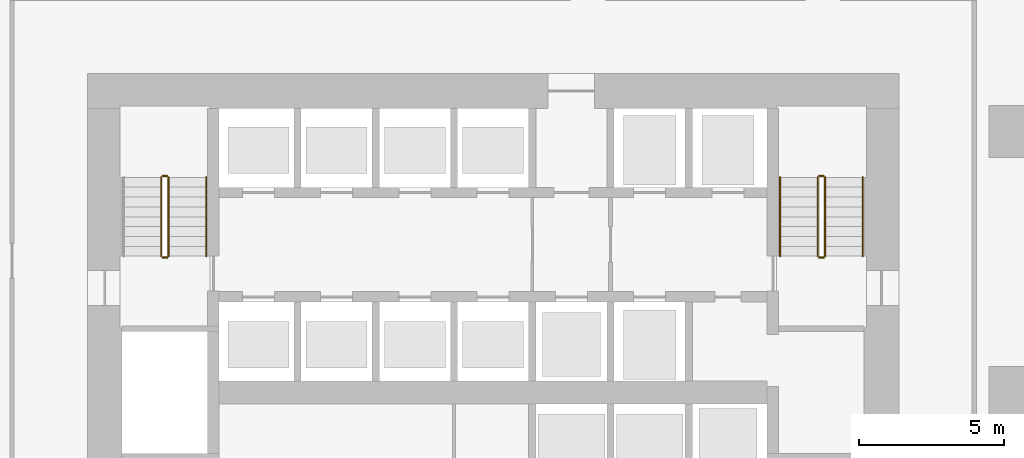
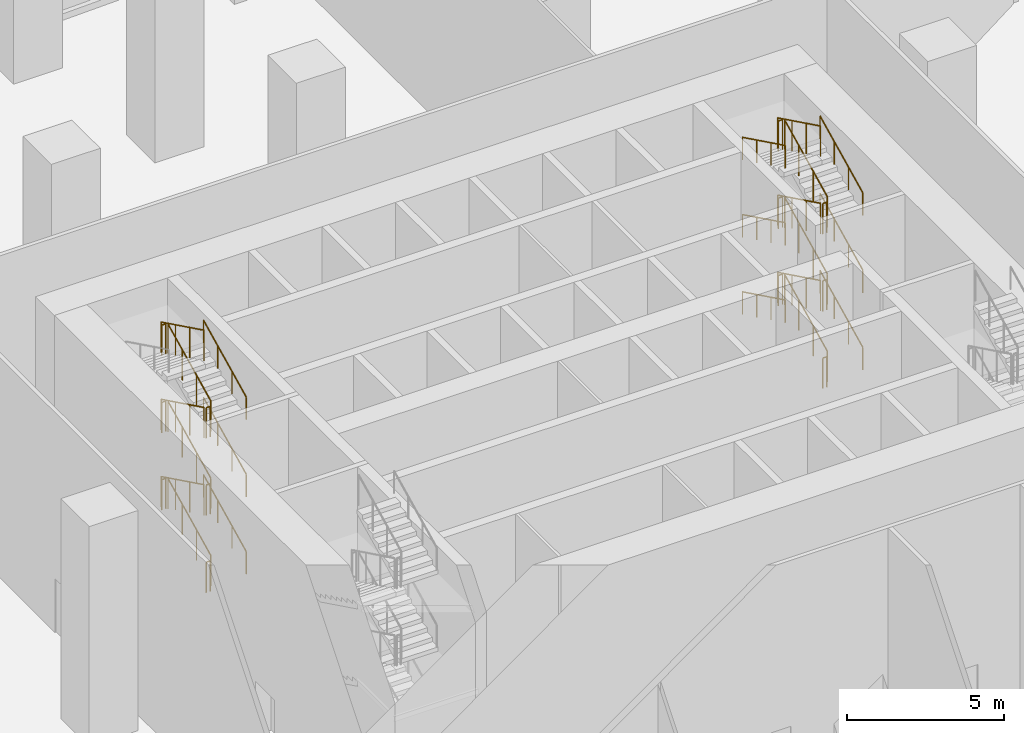
# One storey, part 39 of 40: 33 railings.
"""IFC4 building model written with IfcOpenShell, lengths in metres."""

from ifc_helpers import new_model, si_unit, direction, frame, origin, origin_2d, place, context, subcontext, project, spatial, circle, extrude, material, type_object, element, save


model = new_model("IFC4")

# Units and contexts
model_context = context("Model", 3, precision=1e-05, world=origin(), true_north=direction((0.0, 1.0)))
body_context = subcontext(model_context, "Body", "Model", "MODEL_VIEW")
ifc_project = project(units=[si_unit("LENGTHUNIT", "METRE"), si_unit("AREAUNIT", "SQUARE_METRE"), si_unit("VOLUMEUNIT", "CUBIC_METRE"), si_unit("PLANEANGLEUNIT", "RADIAN"), si_unit("MASSUNIT", "GRAM", prefix="KILO")], contexts=[model_context])

# Site, building, storey
site_placement = place(None, origin())
site = spatial("IfcSite", under=ifc_project, at=site_placement, CompositionType="ELEMENT")
building_placement = place(site_placement, origin())
building = spatial("IfcBuilding", under=site, at=building_placement, Name="Dongbaek Canopy Tower", CompositionType="ELEMENT")
storey_placement = place(building_placement, origin())
storey = spatial("IfcBuildingStorey", under=building, at=storey_placement, Name="L00", CompositionType="ELEMENT", Elevation=0.0)

# Railings
ifc_material_1 = material(Name="Stainless steel tube and balusters", Category="steel")
railing_type_1 = type_object("IfcRailingType", Name="Stair guard 1200", PredefinedType="GUARDRAIL", material=ifc_material_1)
railing_1_placement = place(storey_placement, frame((11.449951171875, 4.699951171875, 0.166748046875)))
element("IfcRailing", 1, at=railing_1_placement, inside=storey, type_object=railing_type_1, Name="L00 ST-A stair guard 1", PredefinedType="GUARDRAIL", context=body_context, shape_type="SweptSolid", body=[
    extrude(circle(Radius=0.02392578125, at=origin_2d()), frame((0.0, 0.0, 1.17578125), z_axis=(0.0, 0.897929466783, 0.4401393787), x_axis=(-1.0, 0.0, 0.0)), (0.0, 0.0, 1.0), 3.029052734375),
    extrude(circle(Radius=0.02099609375, at=origin_2d()), origin(), (0.0, 0.0, 1.0), 1.15185546875),
    extrude(circle(Radius=0.02099609375, at=origin_2d()), frame((0.0, 0.90673828125, 0.4443359375)), (0.0, 0.0, 1.0), 1.15185546875),
    extrude(circle(Radius=0.02099609375, at=origin_2d()), frame((0.0, 1.813232421875, 0.888916015625)), (0.0, 0.0, 1.0), 1.15185546875),
    extrude(circle(Radius=0.02099609375, at=origin_2d()), frame((0.0, 2.719970703125, 1.333251953125)), (0.0, 0.0, 1.0), 1.15185546875),
])
railing_2_placement = place(storey_placement, frame((11.39990234375, 7.469970703125, 1.5)))
element("IfcRailing", 2, at=railing_2_placement, inside=storey, type_object=railing_type_1, Name="L00 ST-A stair guard 2", PredefinedType="GUARDRAIL", context=body_context, shape_type="SweptSolid", body=[
    extrude(circle(Radius=0.02392578125, at=origin_2d()), frame((0.0, 0.0, 1.17578125), z_axis=(-1.0, 0.0, 0.0), x_axis=(0.0, -1.0, 0.0)), (0.0, 0.0, 1.0), 0.14990234375),
    extrude(circle(Radius=0.02099609375, at=origin_2d()), origin(), (0.0, 0.0, 1.0), 1.15185546875),
    extrude(circle(Radius=0.02099609375, at=origin_2d()), frame((-0.14990234375, 0.0, 0.0)), (0.0, 0.0, 1.0), 1.15185546875),
])
railing_3_placement = place(storey_placement, frame((11.199951171875, 7.419921875, 1.666748046875)))
element("IfcRailing", 3, at=railing_3_placement, inside=storey, type_object=railing_type_1, Name="L00 ST-A stair guard 3", PredefinedType="GUARDRAIL", context=body_context, shape_type="SweptSolid", body=[
    extrude(circle(Radius=0.02392578125, at=origin_2d()), frame((0.0, 0.0, 1.17578125), z_axis=(0.0, -0.897929466783, 0.4401393787), x_axis=(1.0, 0.0, 0.0)), (0.0, 0.0, 1.0), 3.029052734375),
    extrude(circle(Radius=0.02099609375, at=origin_2d()), origin(), (0.0, 0.0, 1.0), 1.15185546875),
    extrude(circle(Radius=0.02099609375, at=origin_2d()), frame((0.0, -0.90673828125, 0.4443359375)), (0.0, 0.0, 1.0), 1.15185546875),
    extrude(circle(Radius=0.02099609375, at=origin_2d()), frame((0.0, -1.813232421875, 0.888916015625)), (0.0, 0.0, 1.0), 1.15185546875),
    extrude(circle(Radius=0.02099609375, at=origin_2d()), frame((0.0, -2.719970703125, 1.333251953125)), (0.0, 0.0, 1.0), 1.15185546875),
])
railing_4_placement = place(storey_placement, frame((11.39990234375, 4.64990234375, 3.0)))
element("IfcRailing", 4, at=railing_4_placement, inside=storey, type_object=railing_type_1, Name="L00 ST-A stair guard 4", PredefinedType="GUARDRAIL", context=body_context, shape_type="SweptSolid", body=[
    extrude(circle(Radius=0.02392578125, at=origin_2d()), frame((0.0, 0.0, 1.17578125), z_axis=(-1.0, 0.0, 0.0), x_axis=(0.0, -1.0, 0.0)), (0.0, 0.0, 1.0), 0.14990234375),
    extrude(circle(Radius=0.02099609375, at=origin_2d()), origin(), (0.0, 0.0, 1.0), 1.15185546875),
    extrude(circle(Radius=0.02099609375, at=origin_2d()), frame((-0.14990234375, 0.0, 0.0)), (0.0, 0.0, 1.0), 1.15185546875),
])
railing_5_placement = place(storey_placement, frame((11.449951171875, 4.699951171875, 3.166748046875)))
element("IfcRailing", 5, at=railing_5_placement, inside=storey, type_object=railing_type_1, Name="L00 ST-A stair guard 5", PredefinedType="GUARDRAIL", context=body_context, shape_type="SweptSolid", body=[
    extrude(circle(Radius=0.02392578125, at=origin_2d()), frame((0.0, 0.0, 1.17578125), z_axis=(0.0, 0.897929466783, 0.4401393787), x_axis=(-1.0, 0.0, 0.0)), (0.0, 0.0, 1.0), 3.029052734375),
    extrude(circle(Radius=0.02099609375, at=origin_2d()), origin(), (0.0, 0.0, 1.0), 1.15185546875),
    extrude(circle(Radius=0.02099609375, at=origin_2d()), frame((0.0, 0.90673828125, 0.4443359375)), (0.0, 0.0, 1.0), 1.15185546875),
    extrude(circle(Radius=0.02099609375, at=origin_2d()), frame((0.0, 1.813232421875, 0.888916015625)), (0.0, 0.0, 1.0), 1.15185546875),
    extrude(circle(Radius=0.02099609375, at=origin_2d()), frame((0.0, 2.719970703125, 1.333251953125)), (0.0, 0.0, 1.0), 1.15185546875),
])
railing_6_placement = place(storey_placement, frame((11.39990234375, 7.469970703125, 4.5)))
element("IfcRailing", 6, at=railing_6_placement, inside=storey, type_object=railing_type_1, Name="L00 ST-A stair guard 6", PredefinedType="GUARDRAIL", context=body_context, shape_type="SweptSolid", body=[
    extrude(circle(Radius=0.02392578125, at=origin_2d()), frame((0.0, 0.0, 1.17578125), z_axis=(-1.0, 0.0, 0.0), x_axis=(0.0, -1.0, 0.0)), (0.0, 0.0, 1.0), 0.14990234375),
    extrude(circle(Radius=0.02099609375, at=origin_2d()), origin(), (0.0, 0.0, 1.0), 1.15185546875),
    extrude(circle(Radius=0.02099609375, at=origin_2d()), frame((-0.14990234375, 0.0, 0.0)), (0.0, 0.0, 1.0), 1.15185546875),
])
railing_7_placement = place(storey_placement, frame((11.199951171875, 7.419921875, 4.666748046875)))
element("IfcRailing", 7, at=railing_7_placement, inside=storey, type_object=railing_type_1, Name="L00 ST-A stair guard 7", PredefinedType="GUARDRAIL", context=body_context, shape_type="SweptSolid", body=[
    extrude(circle(Radius=0.02392578125, at=origin_2d()), frame((0.0, 0.0, 1.17578125), z_axis=(0.0, -0.897929466783, 0.4401393787), x_axis=(1.0, 0.0, 0.0)), (0.0, 0.0, 1.0), 3.029052734375),
    extrude(circle(Radius=0.02099609375, at=origin_2d()), origin(), (0.0, 0.0, 1.0), 1.15185546875),
    extrude(circle(Radius=0.02099609375, at=origin_2d()), frame((0.0, -0.90673828125, 0.4443359375)), (0.0, 0.0, 1.0), 1.15185546875),
    extrude(circle(Radius=0.02099609375, at=origin_2d()), frame((0.0, -1.813232421875, 0.888916015625)), (0.0, 0.0, 1.0), 1.15185546875),
    extrude(circle(Radius=0.02099609375, at=origin_2d()), frame((0.0, -2.719970703125, 1.333251953125)), (0.0, 0.0, 1.0), 1.15185546875),
])
railing_8_placement = place(storey_placement, frame((11.39990234375, 4.64990234375, 6.0)))
element("IfcRailing", 8, at=railing_8_placement, inside=storey, type_object=railing_type_1, Name="L00 ST-A stair guard 8", PredefinedType="GUARDRAIL", context=body_context, shape_type="SweptSolid", body=[
    extrude(circle(Radius=0.02392578125, at=origin_2d()), frame((0.0, 0.0, 1.17578125), z_axis=(-1.0, 0.0, 0.0), x_axis=(0.0, -1.0, 0.0)), (0.0, 0.0, 1.0), 0.14990234375),
    extrude(circle(Radius=0.02099609375, at=origin_2d()), origin(), (0.0, 0.0, 1.0), 1.15185546875),
    extrude(circle(Radius=0.02099609375, at=origin_2d()), frame((-0.14990234375, 0.0, 0.0)), (0.0, 0.0, 1.0), 1.15185546875),
])
railing_9_placement = place(storey_placement, frame((11.449951171875, 4.699951171875, 6.166748046875)))
element("IfcRailing", 9, at=railing_9_placement, inside=storey, type_object=railing_type_1, Name="L00 ST-A stair guard 9", PredefinedType="GUARDRAIL", context=body_context, shape_type="SweptSolid", body=[
    extrude(circle(Radius=0.02392578125, at=origin_2d()), frame((0.0, 0.0, 1.17578125), z_axis=(0.0, 0.897929466783, 0.4401393787), x_axis=(-1.0, 0.0, 0.0)), (0.0, 0.0, 1.0), 3.029052734375),
    extrude(circle(Radius=0.02099609375, at=origin_2d()), origin(), (0.0, 0.0, 1.0), 1.15185546875),
    extrude(circle(Radius=0.02099609375, at=origin_2d()), frame((0.0, 0.90673828125, 0.4443359375)), (0.0, 0.0, 1.0), 1.15185546875),
    extrude(circle(Radius=0.02099609375, at=origin_2d()), frame((0.0, 1.813232421875, 0.888916015625)), (0.0, 0.0, 1.0), 1.15185546875),
    extrude(circle(Radius=0.02099609375, at=origin_2d()), frame((0.0, 2.719970703125, 1.333251953125)), (0.0, 0.0, 1.0), 1.15185546875),
])
railing_10_placement = place(storey_placement, frame((11.39990234375, 7.469970703125, 7.5)))
element("IfcRailing", 10, at=railing_10_placement, inside=storey, type_object=railing_type_1, Name="L00 ST-A stair guard 10", PredefinedType="GUARDRAIL", context=body_context, shape_type="SweptSolid", body=[
    extrude(circle(Radius=0.02392578125, at=origin_2d()), frame((0.0, 0.0, 1.17578125), z_axis=(-1.0, 0.0, 0.0), x_axis=(0.0, -1.0, 0.0)), (0.0, 0.0, 1.0), 0.14990234375),
    extrude(circle(Radius=0.02099609375, at=origin_2d()), origin(), (0.0, 0.0, 1.0), 1.15185546875),
    extrude(circle(Radius=0.02099609375, at=origin_2d()), frame((-0.14990234375, 0.0, 0.0)), (0.0, 0.0, 1.0), 1.15185546875),
])
railing_11_placement = place(storey_placement, frame((11.199951171875, 7.419921875, 7.666748046875)))
element("IfcRailing", 11, at=railing_11_placement, inside=storey, type_object=railing_type_1, Name="L00 ST-A stair guard 11", PredefinedType="GUARDRAIL", context=body_context, shape_type="SweptSolid", body=[
    extrude(circle(Radius=0.02392578125, at=origin_2d()), frame((0.0, 0.0, 1.17578125), z_axis=(0.0, -0.897929466783, 0.4401393787), x_axis=(1.0, 0.0, 0.0)), (0.0, 0.0, 1.0), 3.029052734375),
    extrude(circle(Radius=0.02099609375, at=origin_2d()), origin(), (0.0, 0.0, 1.0), 1.15185546875),
    extrude(circle(Radius=0.02099609375, at=origin_2d()), frame((0.0, -0.90673828125, 0.4443359375)), (0.0, 0.0, 1.0), 1.15185546875),
    extrude(circle(Radius=0.02099609375, at=origin_2d()), frame((0.0, -1.813232421875, 0.888916015625)), (0.0, 0.0, 1.0), 1.15185546875),
    extrude(circle(Radius=0.02099609375, at=origin_2d()), frame((0.0, -2.719970703125, 1.333251953125)), (0.0, 0.0, 1.0), 1.15185546875),
])
railing_12_placement = place(storey_placement, frame((11.39990234375, 4.64990234375, 0.0)))
element("IfcRailing", 12, at=railing_12_placement, inside=storey, type_object=railing_type_1, Name="L00 ST-A stair guard 12", PredefinedType="GUARDRAIL", context=body_context, shape_type="SweptSolid", body=[
    extrude(circle(Radius=0.02392578125, at=origin_2d()), frame((0.0, 0.0, 1.17578125), z_axis=(-1.0, 0.0, 0.0), x_axis=(0.0, -1.0, 0.0)), (0.0, 0.0, 1.0), 0.14990234375),
    extrude(circle(Radius=0.02099609375, at=origin_2d()), origin(), (0.0, 0.0, 1.0), 1.15185546875),
    extrude(circle(Radius=0.02099609375, at=origin_2d()), frame((-0.14990234375, 0.0, 0.0)), (0.0, 0.0, 1.0), 1.15185546875),
])
railing_13_placement = place(storey_placement, frame((-11.199951171875, 4.699951171875, 0.166748046875)))
element("IfcRailing", 13, at=railing_13_placement, inside=storey, type_object=railing_type_1, Name="L00 ST-C stair guard 1", PredefinedType="GUARDRAIL", context=body_context, shape_type="SweptSolid", body=[
    extrude(circle(Radius=0.02392578125, at=origin_2d()), frame((0.0, 0.0, 1.17578125), z_axis=(0.0, 0.897929466783, 0.4401393787), x_axis=(-1.0, 0.0, 0.0)), (0.0, 0.0, 1.0), 3.029052734375),
    extrude(circle(Radius=0.02099609375, at=origin_2d()), origin(), (0.0, 0.0, 1.0), 1.15185546875),
    extrude(circle(Radius=0.02099609375, at=origin_2d()), frame((0.0, 0.90673828125, 0.4443359375)), (0.0, 0.0, 1.0), 1.15185546875),
    extrude(circle(Radius=0.02099609375, at=origin_2d()), frame((0.0, 1.813232421875, 0.888916015625)), (0.0, 0.0, 1.0), 1.15185546875),
    extrude(circle(Radius=0.02099609375, at=origin_2d()), frame((0.0, 2.719970703125, 1.333251953125)), (0.0, 0.0, 1.0), 1.15185546875),
])
railing_14_placement = place(storey_placement, frame((-11.25, 7.469970703125, 1.5)))
element("IfcRailing", 14, at=railing_14_placement, inside=storey, type_object=railing_type_1, Name="L00 ST-C stair guard 2", PredefinedType="GUARDRAIL", context=body_context, shape_type="SweptSolid", body=[
    extrude(circle(Radius=0.02392578125, at=origin_2d()), frame((0.0, 0.0, 1.17578125), z_axis=(-1.0, 0.0, 0.0), x_axis=(0.0, -1.0, 0.0)), (0.0, 0.0, 1.0), 0.14990234375),
    extrude(circle(Radius=0.02099609375, at=origin_2d()), origin(), (0.0, 0.0, 1.0), 1.15185546875),
    extrude(circle(Radius=0.02099609375, at=origin_2d()), frame((-0.14990234375, 0.0, 0.0)), (0.0, 0.0, 1.0), 1.15185546875),
])
railing_15_placement = place(storey_placement, frame((-11.449951171875, 7.419921875, 1.666748046875)))
element("IfcRailing", 15, at=railing_15_placement, inside=storey, type_object=railing_type_1, Name="L00 ST-C stair guard 3", PredefinedType="GUARDRAIL", context=body_context, shape_type="SweptSolid", body=[
    extrude(circle(Radius=0.02392578125, at=origin_2d()), frame((0.0, 0.0, 1.17578125), z_axis=(0.0, -0.897929466783, 0.4401393787), x_axis=(1.0, 0.0, 0.0)), (0.0, 0.0, 1.0), 3.029052734375),
    extrude(circle(Radius=0.02099609375, at=origin_2d()), origin(), (0.0, 0.0, 1.0), 1.15185546875),
    extrude(circle(Radius=0.02099609375, at=origin_2d()), frame((0.0, -0.90673828125, 0.4443359375)), (0.0, 0.0, 1.0), 1.15185546875),
    extrude(circle(Radius=0.02099609375, at=origin_2d()), frame((0.0, -1.813232421875, 0.888916015625)), (0.0, 0.0, 1.0), 1.15185546875),
    extrude(circle(Radius=0.02099609375, at=origin_2d()), frame((0.0, -2.719970703125, 1.333251953125)), (0.0, 0.0, 1.0), 1.15185546875),
])
railing_16_placement = place(storey_placement, frame((-11.25, 4.64990234375, 3.0)))
element("IfcRailing", 16, at=railing_16_placement, inside=storey, type_object=railing_type_1, Name="L00 ST-C stair guard 4", PredefinedType="GUARDRAIL", context=body_context, shape_type="SweptSolid", body=[
    extrude(circle(Radius=0.02392578125, at=origin_2d()), frame((0.0, 0.0, 1.17578125), z_axis=(-1.0, 0.0, 0.0), x_axis=(0.0, -1.0, 0.0)), (0.0, 0.0, 1.0), 0.14990234375),
    extrude(circle(Radius=0.02099609375, at=origin_2d()), origin(), (0.0, 0.0, 1.0), 1.15185546875),
    extrude(circle(Radius=0.02099609375, at=origin_2d()), frame((-0.14990234375, 0.0, 0.0)), (0.0, 0.0, 1.0), 1.15185546875),
])
railing_17_placement = place(storey_placement, frame((-11.199951171875, 4.699951171875, 3.166748046875)))
element("IfcRailing", 17, at=railing_17_placement, inside=storey, type_object=railing_type_1, Name="L00 ST-C stair guard 5", PredefinedType="GUARDRAIL", context=body_context, shape_type="SweptSolid", body=[
    extrude(circle(Radius=0.02392578125, at=origin_2d()), frame((0.0, 0.0, 1.17578125), z_axis=(0.0, 0.897929466783, 0.4401393787), x_axis=(-1.0, 0.0, 0.0)), (0.0, 0.0, 1.0), 3.029052734375),
    extrude(circle(Radius=0.02099609375, at=origin_2d()), origin(), (0.0, 0.0, 1.0), 1.15185546875),
    extrude(circle(Radius=0.02099609375, at=origin_2d()), frame((0.0, 0.90673828125, 0.4443359375)), (0.0, 0.0, 1.0), 1.15185546875),
    extrude(circle(Radius=0.02099609375, at=origin_2d()), frame((0.0, 1.813232421875, 0.888916015625)), (0.0, 0.0, 1.0), 1.15185546875),
    extrude(circle(Radius=0.02099609375, at=origin_2d()), frame((0.0, 2.719970703125, 1.333251953125)), (0.0, 0.0, 1.0), 1.15185546875),
])
railing_18_placement = place(storey_placement, frame((-11.25, 7.469970703125, 4.5)))
element("IfcRailing", 18, at=railing_18_placement, inside=storey, type_object=railing_type_1, Name="L00 ST-C stair guard 6", PredefinedType="GUARDRAIL", context=body_context, shape_type="SweptSolid", body=[
    extrude(circle(Radius=0.02392578125, at=origin_2d()), frame((0.0, 0.0, 1.17578125), z_axis=(-1.0, 0.0, 0.0), x_axis=(0.0, -1.0, 0.0)), (0.0, 0.0, 1.0), 0.14990234375),
    extrude(circle(Radius=0.02099609375, at=origin_2d()), origin(), (0.0, 0.0, 1.0), 1.15185546875),
    extrude(circle(Radius=0.02099609375, at=origin_2d()), frame((-0.14990234375, 0.0, 0.0)), (0.0, 0.0, 1.0), 1.15185546875),
])
railing_19_placement = place(storey_placement, frame((-11.449951171875, 7.419921875, 4.666748046875)))
element("IfcRailing", 19, at=railing_19_placement, inside=storey, type_object=railing_type_1, Name="L00 ST-C stair guard 7", PredefinedType="GUARDRAIL", context=body_context, shape_type="SweptSolid", body=[
    extrude(circle(Radius=0.02392578125, at=origin_2d()), frame((0.0, 0.0, 1.17578125), z_axis=(0.0, -0.897929466783, 0.4401393787), x_axis=(1.0, 0.0, 0.0)), (0.0, 0.0, 1.0), 3.029052734375),
    extrude(circle(Radius=0.02099609375, at=origin_2d()), origin(), (0.0, 0.0, 1.0), 1.15185546875),
    extrude(circle(Radius=0.02099609375, at=origin_2d()), frame((0.0, -0.90673828125, 0.4443359375)), (0.0, 0.0, 1.0), 1.15185546875),
    extrude(circle(Radius=0.02099609375, at=origin_2d()), frame((0.0, -1.813232421875, 0.888916015625)), (0.0, 0.0, 1.0), 1.15185546875),
    extrude(circle(Radius=0.02099609375, at=origin_2d()), frame((0.0, -2.719970703125, 1.333251953125)), (0.0, 0.0, 1.0), 1.15185546875),
])
railing_20_placement = place(storey_placement, frame((-11.25, 4.64990234375, 6.0)))
element("IfcRailing", 20, at=railing_20_placement, inside=storey, type_object=railing_type_1, Name="L00 ST-C stair guard 8", PredefinedType="GUARDRAIL", context=body_context, shape_type="SweptSolid", body=[
    extrude(circle(Radius=0.02392578125, at=origin_2d()), frame((0.0, 0.0, 1.17578125), z_axis=(-1.0, 0.0, 0.0), x_axis=(0.0, -1.0, 0.0)), (0.0, 0.0, 1.0), 0.14990234375),
    extrude(circle(Radius=0.02099609375, at=origin_2d()), origin(), (0.0, 0.0, 1.0), 1.15185546875),
    extrude(circle(Radius=0.02099609375, at=origin_2d()), frame((-0.14990234375, 0.0, 0.0)), (0.0, 0.0, 1.0), 1.15185546875),
])
railing_21_placement = place(storey_placement, frame((-11.199951171875, 4.699951171875, 6.166748046875)))
element("IfcRailing", 21, at=railing_21_placement, inside=storey, type_object=railing_type_1, Name="L00 ST-C stair guard 9", PredefinedType="GUARDRAIL", context=body_context, shape_type="SweptSolid", body=[
    extrude(circle(Radius=0.02392578125, at=origin_2d()), frame((0.0, 0.0, 1.17578125), z_axis=(0.0, 0.897929466783, 0.4401393787), x_axis=(-1.0, 0.0, 0.0)), (0.0, 0.0, 1.0), 3.029052734375),
    extrude(circle(Radius=0.02099609375, at=origin_2d()), origin(), (0.0, 0.0, 1.0), 1.15185546875),
    extrude(circle(Radius=0.02099609375, at=origin_2d()), frame((0.0, 0.90673828125, 0.4443359375)), (0.0, 0.0, 1.0), 1.15185546875),
    extrude(circle(Radius=0.02099609375, at=origin_2d()), frame((0.0, 1.813232421875, 0.888916015625)), (0.0, 0.0, 1.0), 1.15185546875),
    extrude(circle(Radius=0.02099609375, at=origin_2d()), frame((0.0, 2.719970703125, 1.333251953125)), (0.0, 0.0, 1.0), 1.15185546875),
])
railing_22_placement = place(storey_placement, frame((-11.25, 7.469970703125, 7.5)))
element("IfcRailing", 22, at=railing_22_placement, inside=storey, type_object=railing_type_1, Name="L00 ST-C stair guard 10", PredefinedType="GUARDRAIL", context=body_context, shape_type="SweptSolid", body=[
    extrude(circle(Radius=0.02392578125, at=origin_2d()), frame((0.0, 0.0, 1.17578125), z_axis=(-1.0, 0.0, 0.0), x_axis=(0.0, -1.0, 0.0)), (0.0, 0.0, 1.0), 0.14990234375),
    extrude(circle(Radius=0.02099609375, at=origin_2d()), origin(), (0.0, 0.0, 1.0), 1.15185546875),
    extrude(circle(Radius=0.02099609375, at=origin_2d()), frame((-0.14990234375, 0.0, 0.0)), (0.0, 0.0, 1.0), 1.15185546875),
])
railing_23_placement = place(storey_placement, frame((-11.449951171875, 7.419921875, 7.666748046875)))
element("IfcRailing", 23, at=railing_23_placement, inside=storey, type_object=railing_type_1, Name="L00 ST-C stair guard 11", PredefinedType="GUARDRAIL", context=body_context, shape_type="SweptSolid", body=[
    extrude(circle(Radius=0.02392578125, at=origin_2d()), frame((0.0, 0.0, 1.17578125), z_axis=(0.0, -0.897929466783, 0.4401393787), x_axis=(1.0, 0.0, 0.0)), (0.0, 0.0, 1.0), 3.029052734375),
    extrude(circle(Radius=0.02099609375, at=origin_2d()), origin(), (0.0, 0.0, 1.0), 1.15185546875),
    extrude(circle(Radius=0.02099609375, at=origin_2d()), frame((0.0, -0.90673828125, 0.4443359375)), (0.0, 0.0, 1.0), 1.15185546875),
    extrude(circle(Radius=0.02099609375, at=origin_2d()), frame((0.0, -1.813232421875, 0.888916015625)), (0.0, 0.0, 1.0), 1.15185546875),
    extrude(circle(Radius=0.02099609375, at=origin_2d()), frame((0.0, -2.719970703125, 1.333251953125)), (0.0, 0.0, 1.0), 1.15185546875),
])
railing_24_placement = place(storey_placement, frame((-11.25, 4.64990234375, 0.0)))
element("IfcRailing", 24, at=railing_24_placement, inside=storey, type_object=railing_type_1, Name="L00 ST-C stair guard 12", PredefinedType="GUARDRAIL", context=body_context, shape_type="SweptSolid", body=[
    extrude(circle(Radius=0.02392578125, at=origin_2d()), frame((0.0, 0.0, 1.17578125), z_axis=(-1.0, 0.0, 0.0), x_axis=(0.0, -1.0, 0.0)), (0.0, 0.0, 1.0), 0.14990234375),
    extrude(circle(Radius=0.02099609375, at=origin_2d()), origin(), (0.0, 0.0, 1.0), 1.15185546875),
    extrude(circle(Radius=0.02099609375, at=origin_2d()), frame((-0.14990234375, 0.0, 0.0)), (0.0, 0.0, 1.0), 1.15185546875),
])
ifc_material_2 = material(Name="Stainless steel tube", Category="steel")
railing_type_2 = type_object("IfcRailingType", Name="Stair handrail 900", PredefinedType="HANDRAIL", material=ifc_material_2)
railing_25_placement = place(storey_placement, frame((12.75, 4.699951171875, 0.166748046875)))
element("IfcRailing", 25, at=railing_25_placement, inside=storey, type_object=railing_type_2, Name="L00 ST-A stair handrail 1", PredefinedType="HANDRAIL", context=body_context, shape_type="SweptSolid", body=[
    extrude(circle(Radius=0.02392578125, at=origin_2d()), frame((0.0, 0.0, 0.8759765625), z_axis=(0.0, 0.897929466783, 0.4401393787), x_axis=(-1.0, 0.0, 0.0)), (0.0, 0.0, 1.0), 3.029052734375),
    extrude(circle(Radius=0.02099609375, at=origin_2d()), origin(), (0.0, 0.0, 1.0), 0.851806640625),
    extrude(circle(Radius=0.02099609375, at=origin_2d()), frame((0.0, 0.90673828125, 0.4443359375)), (0.0, 0.0, 1.0), 0.851806640625),
    extrude(circle(Radius=0.02099609375, at=origin_2d()), frame((0.0, 1.813232421875, 0.888916015625)), (0.0, 0.0, 1.0), 0.851806640625),
    extrude(circle(Radius=0.02099609375, at=origin_2d()), frame((0.0, 2.719970703125, 1.333251953125)), (0.0, 0.0, 1.0), 0.851806640625),
])
railing_26_placement = place(storey_placement, frame((9.89990234375, 7.419921875, 1.666748046875)))
element("IfcRailing", 26, at=railing_26_placement, inside=storey, type_object=railing_type_2, Name="L00 ST-A stair handrail 2", PredefinedType="HANDRAIL", context=body_context, shape_type="SweptSolid", body=[
    extrude(circle(Radius=0.02392578125, at=origin_2d()), frame((0.0, 0.0, 0.8759765625), z_axis=(0.0, -0.897929466783, 0.4401393787), x_axis=(1.0, 0.0, 0.0)), (0.0, 0.0, 1.0), 3.029052734375),
    extrude(circle(Radius=0.02099609375, at=origin_2d()), origin(), (0.0, 0.0, 1.0), 0.851806640625),
    extrude(circle(Radius=0.02099609375, at=origin_2d()), frame((0.0, -0.90673828125, 0.4443359375)), (0.0, 0.0, 1.0), 0.851806640625),
    extrude(circle(Radius=0.02099609375, at=origin_2d()), frame((0.0, -1.813232421875, 0.888916015625)), (0.0, 0.0, 1.0), 0.851806640625),
    extrude(circle(Radius=0.02099609375, at=origin_2d()), frame((0.0, -2.719970703125, 1.333251953125)), (0.0, 0.0, 1.0), 0.851806640625),
])
railing_27_placement = place(storey_placement, frame((12.75, 4.699951171875, 3.166748046875)))
element("IfcRailing", 27, at=railing_27_placement, inside=storey, type_object=railing_type_2, Name="L00 ST-A stair handrail 3", PredefinedType="HANDRAIL", context=body_context, shape_type="SweptSolid", body=[
    extrude(circle(Radius=0.02392578125, at=origin_2d()), frame((0.0, 0.0, 0.8759765625), z_axis=(0.0, 0.897929466783, 0.4401393787), x_axis=(-1.0, 0.0, 0.0)), (0.0, 0.0, 1.0), 3.029052734375),
    extrude(circle(Radius=0.02099609375, at=origin_2d()), origin(), (0.0, 0.0, 1.0), 0.851806640625),
    extrude(circle(Radius=0.02099609375, at=origin_2d()), frame((0.0, 0.90673828125, 0.4443359375)), (0.0, 0.0, 1.0), 0.851806640625),
    extrude(circle(Radius=0.02099609375, at=origin_2d()), frame((0.0, 1.813232421875, 0.888916015625)), (0.0, 0.0, 1.0), 0.851806640625),
    extrude(circle(Radius=0.02099609375, at=origin_2d()), frame((0.0, 2.719970703125, 1.333251953125)), (0.0, 0.0, 1.0), 0.851806640625),
])
railing_28_placement = place(storey_placement, frame((9.89990234375, 7.419921875, 4.666748046875)))
element("IfcRailing", 28, at=railing_28_placement, inside=storey, type_object=railing_type_2, Name="L00 ST-A stair handrail 4", PredefinedType="HANDRAIL", context=body_context, shape_type="SweptSolid", body=[
    extrude(circle(Radius=0.02392578125, at=origin_2d()), frame((0.0, 0.0, 0.8759765625), z_axis=(0.0, -0.897929466783, 0.4401393787), x_axis=(1.0, 0.0, 0.0)), (0.0, 0.0, 1.0), 3.029052734375),
    extrude(circle(Radius=0.02099609375, at=origin_2d()), origin(), (0.0, 0.0, 1.0), 0.851806640625),
    extrude(circle(Radius=0.02099609375, at=origin_2d()), frame((0.0, -0.90673828125, 0.4443359375)), (0.0, 0.0, 1.0), 0.851806640625),
    extrude(circle(Radius=0.02099609375, at=origin_2d()), frame((0.0, -1.813232421875, 0.888916015625)), (0.0, 0.0, 1.0), 0.851806640625),
    extrude(circle(Radius=0.02099609375, at=origin_2d()), frame((0.0, -2.719970703125, 1.333251953125)), (0.0, 0.0, 1.0), 0.851806640625),
])
railing_29_placement = place(storey_placement, frame((12.75, 4.699951171875, 6.166748046875)))
element("IfcRailing", 29, at=railing_29_placement, inside=storey, type_object=railing_type_2, Name="L00 ST-A stair handrail 5", PredefinedType="HANDRAIL", context=body_context, shape_type="SweptSolid", body=[
    extrude(circle(Radius=0.02392578125, at=origin_2d()), frame((0.0, 0.0, 0.8759765625), z_axis=(0.0, 0.897929466783, 0.4401393787), x_axis=(-1.0, 0.0, 0.0)), (0.0, 0.0, 1.0), 3.029052734375),
    extrude(circle(Radius=0.02099609375, at=origin_2d()), origin(), (0.0, 0.0, 1.0), 0.851806640625),
    extrude(circle(Radius=0.02099609375, at=origin_2d()), frame((0.0, 0.90673828125, 0.4443359375)), (0.0, 0.0, 1.0), 0.851806640625),
    extrude(circle(Radius=0.02099609375, at=origin_2d()), frame((0.0, 1.813232421875, 0.888916015625)), (0.0, 0.0, 1.0), 0.851806640625),
    extrude(circle(Radius=0.02099609375, at=origin_2d()), frame((0.0, 2.719970703125, 1.333251953125)), (0.0, 0.0, 1.0), 0.851806640625),
])
railing_30_placement = place(storey_placement, frame((9.89990234375, 7.419921875, 7.666748046875)))
element("IfcRailing", 30, at=railing_30_placement, inside=storey, type_object=railing_type_2, Name="L00 ST-A stair handrail 6", PredefinedType="HANDRAIL", context=body_context, shape_type="SweptSolid", body=[
    extrude(circle(Radius=0.02392578125, at=origin_2d()), frame((0.0, 0.0, 0.8759765625), z_axis=(0.0, -0.897929466783, 0.4401393787), x_axis=(1.0, 0.0, 0.0)), (0.0, 0.0, 1.0), 3.029052734375),
    extrude(circle(Radius=0.02099609375, at=origin_2d()), origin(), (0.0, 0.0, 1.0), 0.851806640625),
    extrude(circle(Radius=0.02099609375, at=origin_2d()), frame((0.0, -0.90673828125, 0.4443359375)), (0.0, 0.0, 1.0), 0.851806640625),
    extrude(circle(Radius=0.02099609375, at=origin_2d()), frame((0.0, -1.813232421875, 0.888916015625)), (0.0, 0.0, 1.0), 0.851806640625),
    extrude(circle(Radius=0.02099609375, at=origin_2d()), frame((0.0, -2.719970703125, 1.333251953125)), (0.0, 0.0, 1.0), 0.851806640625),
])
for number, where, name in (
    (31, (-9.89990234375, 4.699951171875, 0.166748046875), "L00 ST-C stair handrail 1"),
    (32, (-9.89990234375, 4.699951171875, 3.166748046875), "L00 ST-C stair handrail 3"),
    (33, (-9.89990234375, 4.699951171875, 6.166748046875), "L00 ST-C stair handrail 5"),
):
    element("IfcRailing", number, at=place(storey_placement, frame(where)), inside=storey, type_object=railing_type_2, Name=name, PredefinedType="HANDRAIL", context=body_context, shape_type="SweptSolid", body=[
        extrude(circle(Radius=0.02392578125, at=origin_2d()), frame((0.0, 0.0, 0.8759765625), z_axis=(0.0, 0.897929466783, 0.4401393787), x_axis=(-1.0, 0.0, 0.0)), (0.0, 0.0, 1.0), 3.029052734375),
        extrude(circle(Radius=0.02099609375, at=origin_2d()), origin(), (0.0, 0.0, 1.0), 0.851806640625),
        extrude(circle(Radius=0.02099609375, at=origin_2d()), frame((0.0, 0.90673828125, 0.4443359375)), (0.0, 0.0, 1.0), 0.851806640625),
        extrude(circle(Radius=0.02099609375, at=origin_2d()), frame((0.0, 1.813232421875, 0.888916015625)), (0.0, 0.0, 1.0), 0.851806640625),
        extrude(circle(Radius=0.02099609375, at=origin_2d()), frame((0.0, 2.719970703125, 1.333251953125)), (0.0, 0.0, 1.0), 0.851806640625),
    ])

save(model, "model.ifc")
